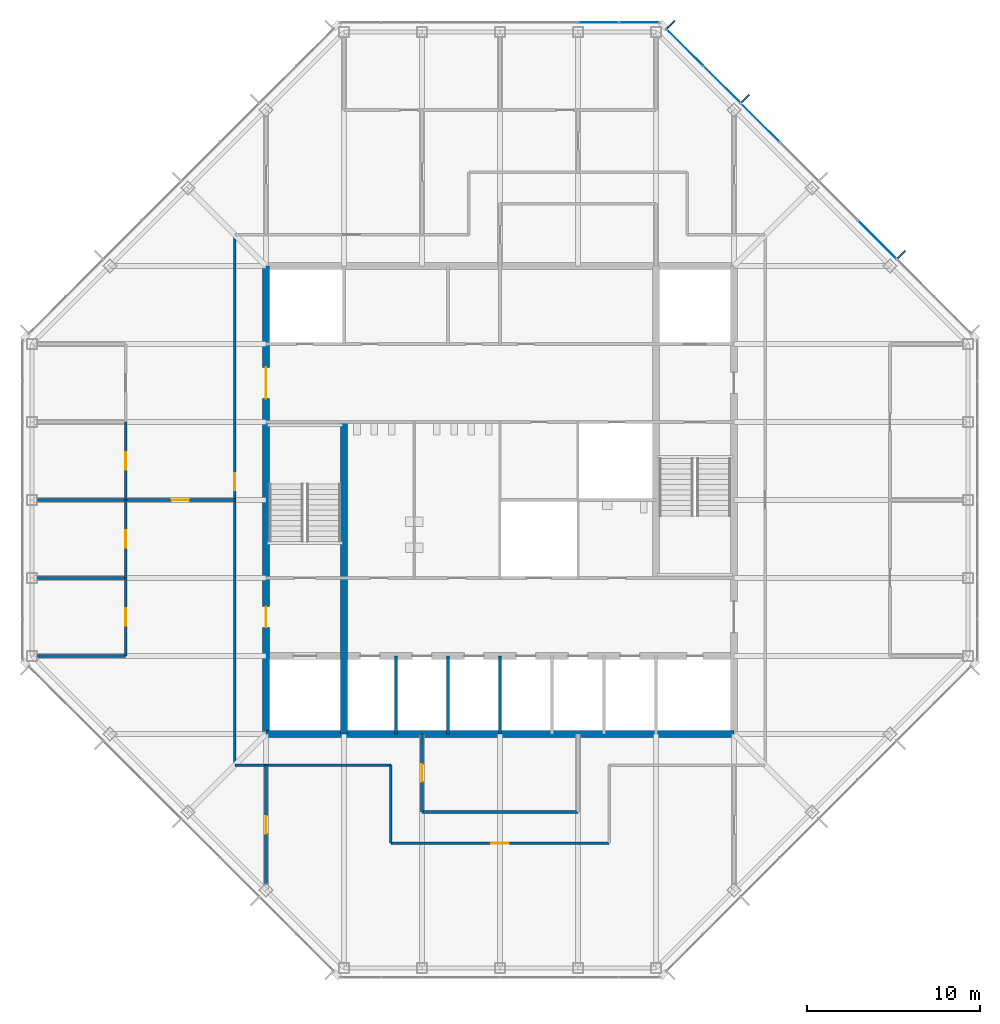
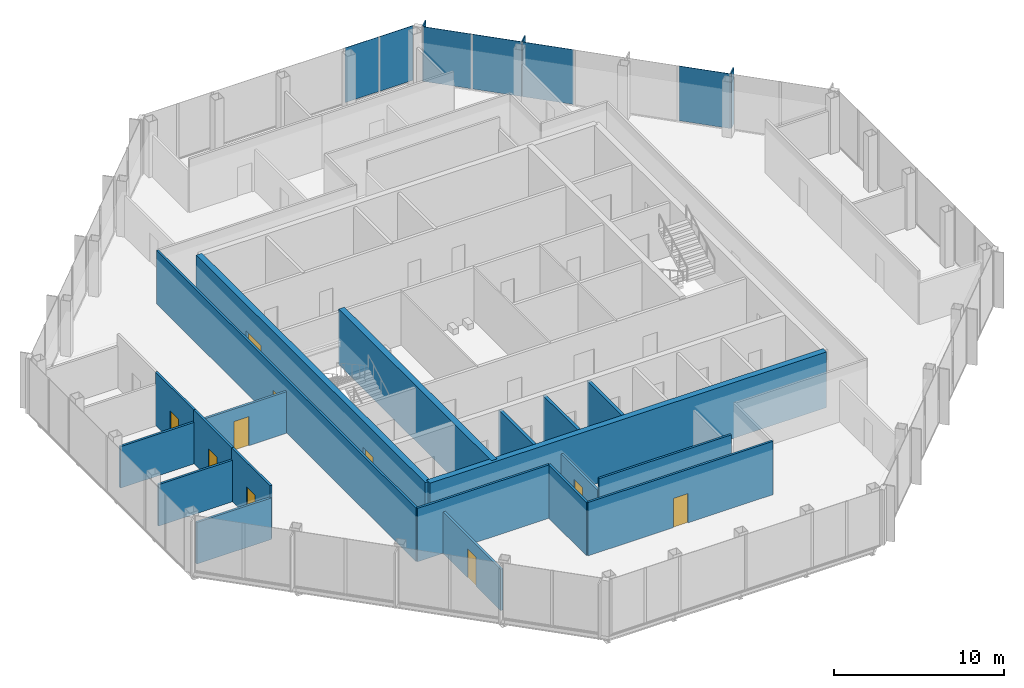
# One storey, part 9 of 14: 20 walls, 10 doors, 9 plates, 10 openings, 2 elements without a shape of their own.
"""IFC4 building model written with IfcOpenShell, lengths in metres."""

from ifc_helpers import new_model, si_unit, direction, frame, frame_2d, origin, origin_2d, place, context, subcontext, project, spatial, rectangle, extrude, material, layer, layer_set, type_object, element, fill, aggregate, save


model = new_model("IFC4")

# Units and contexts
model_context = context("Model", 3, precision=1e-05, world=origin(), true_north=direction((0.0, 1.0)))
body_context = subcontext(model_context, "Body", "Model", "MODEL_VIEW")
ifc_project = project(units=[si_unit("LENGTHUNIT", "METRE"), si_unit("AREAUNIT", "SQUARE_METRE"), si_unit("VOLUMEUNIT", "CUBIC_METRE"), si_unit("PLANEANGLEUNIT", "RADIAN"), si_unit("MASSUNIT", "GRAM", prefix="KILO")], contexts=[model_context])

# Site, building, storey
site_placement = place(None, origin())
site = spatial("IfcSite", under=ifc_project, at=site_placement, CompositionType="ELEMENT")
building_placement = place(site_placement, origin())
building = spatial("IfcBuilding", under=site, at=building_placement, Name="Corais Broadcast Tower", CompositionType="ELEMENT")
storey_placement = place(building_placement, frame((0.0, 0.0, 262.60009765625)))
storey = spatial("IfcBuildingStorey", under=building, at=storey_placement, Name="L61", CompositionType="ELEMENT", Elevation=262.60009765625)

# Curtain wall, plate
ifc_material_1 = material(Name="Aluminium and glass", Category="aluminium")
curtain_wall_type = type_object("IfcCurtainWallType", Name="Unitised fritted curtain wall CW3", PredefinedType="NOTDEFINED", material=ifc_material_1)
curtain_wall_1_placement = place(storey_placement, origin())
curtain_wall_1 = element("IfcCurtainWall", 1, at=curtain_wall_1_placement, inside=storey, type_object=curtain_wall_type, Name="CW3 curtain wall L61 4", PredefinedType="NOTDEFINED")
ifc_material_2 = material(Name="Ceramic-fritted laminated glass", Category="glass")
ifc_layer_1 = layer(ifc_material_2, 0.02587890625)
ifc_layer_set_1 = layer_set([ifc_layer_1], Name="Ceramic-fritted laminated glass")
plate_type_1 = type_object("IfcPlateType", Name="Fritted glass panel CW3", PredefinedType="CURTAIN_PANEL", material=ifc_layer_set_1)
plate_1_placement = place(storey_placement, frame((32.681884765625, 54.550048828125, 0.06494140625), z_axis=(0.0, 0.0, 1.0), x_axis=(1.0, 0.0, 0.0)))
plate_1 = element("IfcPlate", 2, at=plate_1_placement, type_object=plate_type_1, Name="CW3 panel 5", PredefinedType="CURTAIN_PANEL", context=body_context, shape_type="SweptSolid", body=[
    extrude(rectangle(XDim=2.298828125, YDim=0.02587890625, at=origin_2d()), origin(), (0.0, 0.0, 1.0), 3.93505859375),
])

# Curtain wall, plates
curtain_wall_2_placement = place(storey_placement, origin())
curtain_wall_2 = element("IfcCurtainWall", 3, at=curtain_wall_2_placement, inside=storey, type_object=curtain_wall_type, Name="CW3 curtain wall L61 5", PredefinedType="NOTDEFINED")
plate_2_placement = place(storey_placement, frame((37.669677734375, 53.108154296875, 0.06494140625), z_axis=(0.0, 0.0, 1.0), x_axis=(0.707106781187, -0.707106781187, 0.0)))
plate_2 = element("IfcPlate", 4, at=plate_2_placement, type_object=plate_type_1, Name="CW3 panel 1", PredefinedType="CURTAIN_PANEL", context=body_context, shape_type="SweptSolid", body=[
    extrude(rectangle(XDim=2.9482421875, YDim=0.02587890625, at=origin_2d()), origin(), (0.0, 0.0, 1.0), 3.93505859375),
])
plate_3_placement = place(storey_placement, frame((42.013916015625, 48.763916015625, 0.06494140625), z_axis=(0.0, 0.0, 1.0), x_axis=(0.707106781187, -0.707106781187, 0.0)))
plate_3 = element("IfcPlate", 5, at=plate_3_placement, type_object=plate_type_1, Name="CW3 panel 3", PredefinedType="CURTAIN_PANEL", context=body_context, shape_type="SweptSolid", body=[
    extrude(rectangle(XDim=3.116943359375, YDim=0.02587890625, at=origin_2d()), origin(), (0.0, 0.0, 1.0), 3.93505859375),
])

# Plate
ifc_material_3 = material(Name="Clear laminated glass", Category="glass")
ifc_layer_2 = layer(ifc_material_3, 0.030029296875)
ifc_layer_set_2 = layer_set([ifc_layer_2], Name="Clear laminated glass")
plate_type_2 = type_object("IfcPlateType", Name="Operable glass panel CW3", PredefinedType="CURTAIN_PANEL", material=ifc_layer_set_2)
plate_4_placement = place(storey_placement, frame((35.029541015625, 54.550048828125, 0.06494140625), z_axis=(0.0, 0.0, 1.0), x_axis=(1.0, 0.0, 0.0)))
plate_4 = element("IfcPlate", 6, at=plate_4_placement, type_object=plate_type_2, Name="CW3 operable panel 6", PredefinedType="CURTAIN_PANEL", context=body_context, shape_type="SweptSolid", body=[
    extrude(rectangle(XDim=2.266357421875, YDim=0.030029296875, at=origin_2d()), origin(), (0.0, 0.0, 1.0), 3.93505859375),
])

aggregate(curtain_wall_1, [plate_1, plate_4])

plate_5_placement = place(storey_placement, frame((39.81201171875, 50.9658203125, 0.06494140625), z_axis=(0.0, 0.0, 1.0), x_axis=(0.707106781187, -0.707106781187, 0.0)))
plate_5 = element("IfcPlate", 7, at=plate_5_placement, type_object=plate_type_2, Name="CW3 operable panel 2", PredefinedType="CURTAIN_PANEL", context=body_context, shape_type="SweptSolid", body=[
    extrude(rectangle(XDim=2.98095703125, YDim=0.030029296875, at=origin_2d()), origin(), (0.0, 0.0, 1.0), 3.93505859375),
])

plate_6_placement = place(storey_placement, frame((48.763916015625, 42.013916015625, 0.06494140625), z_axis=(0.0, 0.0, 1.0), x_axis=(0.707106781187, -0.707106781187, 0.0)))
plate_6 = element("IfcPlate", 8, at=plate_6_placement, type_object=plate_type_2, Name="CW3 operable panel 6", PredefinedType="CURTAIN_PANEL", context=body_context, shape_type="SweptSolid", body=[
    extrude(rectangle(XDim=3.116943359375, YDim=0.030029296875, at=origin_2d()), origin(), (0.0, 0.0, 1.0), 3.93505859375),
])

aggregate(curtain_wall_2, [plate_2, plate_5, plate_3, plate_6])

# Plates
ifc_material_4 = material(Name="Granite stone cladding", Category="masonry")
ifc_layer_3 = layer(ifc_material_4, 0.080078125)
ifc_layer_set_3 = layer_set([ifc_layer_3], Name="Granite stone cladding")
plate_type_3 = type_object("IfcPlateType", Name="Stone screen fin 80x600", PredefinedType="USERDEFINED", material=ifc_layer_set_3)
for number, where, z_axis, x_axis, name in (
    (9, (36.870849609375, 54.43994140625, 0.0), (0.0, 0.0, 1.0), (0.707106781187, -0.707106781187, 0.0), "SF1 stone screen fin L61"),
    (10, (41.155517578125, 50.155517578125, 0.0), (0.0, 0.0, 1.0), (0.707106781187, -0.707106781187, 0.0), "SF1 stone screen fin L61"),
    (11, (50.155517578125, 41.155517578125, 0.0), (0.0, 0.0, 1.0), (0.707106781187, -0.707106781187, 0.0), "SF1 stone screen fin L61"),
):
    element("IfcPlate", number, at=place(storey_placement, frame(where, z_axis=z_axis, x_axis=x_axis)), inside=storey, type_object=plate_type_3, Name=name, ObjectType="STONE SCREEN FIN", PredefinedType="USERDEFINED", context=body_context, shape_type="SweptSolid", body=[
        extrude(rectangle(XDim=0.080078125, YDim=0.60009765625, at=origin_2d()), origin(), (0.0, 0.0, 1.0), 4.0),
    ])

# Wall
ifc_material_5 = material(Name="Concrete C50/60", Category="concrete")
ifc_layer_4 = layer(ifc_material_5, 0.39990234375)
ifc_layer_set_4 = layer_set([ifc_layer_4], Name="Concrete C50/60")
wall_type_1 = type_object("IfcWallType", Name="Core wall 400", PredefinedType="SHEAR", material=ifc_layer_set_4)
wall_1_placement = place(storey_placement, frame((13.5, 13.5, 0.0), z_axis=(0.0, 0.0, 1.0), x_axis=(1.0, 0.0, 0.0)))
element("IfcWall", 12, at=wall_1_placement, inside=storey, type_object=wall_type_1, Name="CR400 core wall S L61", PredefinedType="SHEAR", context=body_context, shape_type="SweptSolid", body=[
    extrude(rectangle(XDim=27.0, YDim=0.39990234375, at=frame_2d((13.5, 0.0))), origin(), (0.0, 0.0, 1.0), 4.0),
])

# Wall, openings, doors
wall_2_placement = place(storey_placement, frame((13.5, 40.5, 0.0), z_axis=(0.0, 0.0, 1.0), x_axis=(0.0, -1.0, 0.0)))
wall_2 = element("IfcWall", 13, at=wall_2_placement, inside=storey, type_object=wall_type_1, Name="CR400 core wall W L61", PredefinedType="SHEAR", context=body_context, shape_type="SweptSolid", body=[
    extrude(rectangle(XDim=27.0, YDim=0.39990234375, at=frame_2d((13.5, 0.0))), origin(), (0.0, 0.0, 1.0), 4.0),
])
opening_1_placement = place(wall_2_placement, frame((19.64990234375, 0.0, 0.0)))
opening_1 = element("IfcOpeningElement", 14, at=opening_1_placement, cuts=wall_2, Name="Opening FD1", PredefinedType="OPENING", context=body_context, shape_type="SweptSolid", body=[
    extrude(rectangle(XDim=1.199951171875, YDim=2.10009765625, at=frame_2d((0.60009765625, 1.050048828125))), frame((0.0, 0.2099609375, 0.0), z_axis=(0.0, -1.0, 0.0), x_axis=(1.0, 0.0, 0.0)), (0.0, 0.0, 1.0), 0.419921875),
])
opening_2_placement = place(wall_2_placement, frame((5.85009765625, 0.0, 0.0)))
opening_2 = element("IfcOpeningElement", 15, at=opening_2_placement, cuts=wall_2, Name="Opening FD2", PredefinedType="OPENING", context=body_context, shape_type="SweptSolid", body=[
    extrude(rectangle(XDim=1.800048828125, YDim=2.10009765625, at=frame_2d((0.89990234375, 1.050048828125))), frame((0.0, 0.2099609375, 0.0), z_axis=(0.0, -1.0, 0.0), x_axis=(1.0, 0.0, 0.0)), (0.0, 0.0, 1.0), 0.419921875),
])
ifc_material_6 = material(Name="Steel fire door", Category="steel")
door_type_1 = type_object("IfcDoorType", Name="Fire door 1200x2100", OperationType="SINGLE_SWING_LEFT", PredefinedType="DOOR", material=ifc_material_6)
door_1_placement = place(opening_1_placement, origin())
door_1 = element("IfcDoor", 16, at=door_1_placement, inside=storey, type_object=door_type_1, Name="FD1 fire lobby A door L61", OperationType="SINGLE_SWING_RIGHT", OverallHeight=2.10009765625, OverallWidth=1.199951171875, PredefinedType="DOOR", context=body_context, shape_type="SweptSolid", body=[
    extrude(rectangle(XDim=1.199951171875, YDim=2.10009765625, at=frame_2d((0.60009765625, 1.050048828125))), frame((0.0, 0.02490234375, 0.0), z_axis=(0.0, -1.0, 0.0), x_axis=(1.0, 0.0, 0.0)), (0.0, 0.0, 1.0), 0.050048828125),
])
fill(opening_1, door_1)
ifc_material_7 = material(Name="Steel fire door", Category="steel")
door_type_2 = type_object("IfcDoorType", Name="Fire door pair 1800x2100", OperationType="DOUBLE_DOOR_SINGLE_SWING", PredefinedType="DOOR", material=ifc_material_7)
door_2_placement = place(opening_2_placement, origin())
door_2 = element("IfcDoor", 17, at=door_2_placement, inside=storey, type_object=door_type_2, Name="FD2 lift lobby door L61", OperationType="SINGLE_SWING_LEFT", OverallHeight=2.10009765625, OverallWidth=1.800048828125, PredefinedType="DOOR", context=body_context, shape_type="SweptSolid", body=[
    extrude(rectangle(XDim=1.800048828125, YDim=2.10009765625, at=frame_2d((0.89990234375, 1.050048828125))), frame((0.0, 0.02490234375, 0.0), z_axis=(0.0, -1.0, 0.0), x_axis=(1.0, 0.0, 0.0)), (0.0, 0.0, 1.0), 0.050048828125),
])
fill(opening_2, door_2)

# Wall
wall_3_placement = place(storey_placement, frame((18.0, 13.5, 0.0), z_axis=(0.0, 0.0, 1.0), x_axis=(0.0, 1.0, 0.0)))
element("IfcWall", 18, at=wall_3_placement, inside=storey, type_object=wall_type_1, Name="CR400 core wall X18A L61", PredefinedType="SHEAR", context=body_context, shape_type="SweptSolid", body=[
    extrude(rectangle(XDim=18.0, YDim=0.39990234375, at=frame_2d((9.0, 0.0))), origin(), (0.0, 0.0, 1.0), 4.0),
])

# Wall, opening, door
ifc_material_8 = material(Name="Gypsum board on steel studs", Category="steel")
ifc_layer_5 = layer(ifc_material_8, 0.14990234375)
ifc_layer_set_5 = layer_set([ifc_layer_5], Name="Gypsum board on steel studs")
wall_type_2 = type_object("IfcWallType", Name="Partition 150", PredefinedType="PARTITIONING", material=ifc_layer_set_5)
wall_4_placement = place(storey_placement, frame((11.699951171875, 42.300048828125, 0.0), z_axis=(0.0, 0.0, 1.0), x_axis=(0.0, -1.0, 0.0)))
wall_4 = element("IfcWall", 19, at=wall_4_placement, inside=storey, type_object=wall_type_2, Name="IW3 corridor wall L61", PredefinedType="PARTITIONING", context=body_context, shape_type="SweptSolid", body=[
    extrude(rectangle(XDim=30.60009765625, YDim=0.14990234375, at=frame_2d((15.300048828125, 0.0))), origin(), (0.0, 0.0, 1.0), 3.83984375),
])
opening_3_placement = place(wall_4_placement, frame((13.75, 0.0, 0.0)))
opening_3 = element("IfcOpeningElement", 20, at=opening_3_placement, cuts=wall_4, Name="Opening D1", PredefinedType="OPENING", context=body_context, shape_type="SweptSolid", body=[
    extrude(rectangle(XDim=1.0, YDim=2.10009765625, at=frame_2d((0.5, 1.050048828125))), frame((0.0, 0.0849609375, 0.0), z_axis=(0.0, -1.0, 0.0), x_axis=(1.0, 0.0, 0.0)), (0.0, 0.0, 1.0), 0.169921875),
])
ifc_material_9 = material(Name="Timber door", Category="wood")
door_type_3 = type_object("IfcDoorType", Name="Single door 1000x2100", OperationType="SINGLE_SWING_LEFT", PredefinedType="DOOR", material=ifc_material_9)
door_3_placement = place(opening_3_placement, origin())
door_3 = element("IfcDoor", 21, at=door_3_placement, inside=storey, type_object=door_type_3, Name="D1 workplace door L61", OperationType="SINGLE_SWING_LEFT", OverallHeight=2.10009765625, OverallWidth=1.0, PredefinedType="DOOR", context=body_context, shape_type="SweptSolid", body=[
    extrude(rectangle(XDim=1.0, YDim=2.10009765625, at=frame_2d((0.5, 1.050048828125))), frame((0.0, 0.02490234375, 0.0), z_axis=(0.0, -1.0, 0.0), x_axis=(1.0, 0.0, 0.0)), (0.0, 0.0, 1.0), 0.050048828125),
])
fill(opening_3, door_3)

wall_5_placement = place(storey_placement, frame((20.699951171875, 7.199951171875, 0.0), z_axis=(0.0, 0.0, 1.0), x_axis=(1.0, 0.0, 0.0)))
wall_5 = element("IfcWall", 22, at=wall_5_placement, inside=storey, type_object=wall_type_2, Name="IW3 corridor wall L61", PredefinedType="PARTITIONING", context=body_context, shape_type="SweptSolid", body=[
    extrude(rectangle(XDim=12.60009765625, YDim=0.14990234375, at=frame_2d((6.300048828125, 0.0))), origin(), (0.0, 0.0, 1.0), 3.83984375),
])
opening_4_placement = place(wall_5_placement, frame((5.800048828125, 0.0, 0.0)))
opening_4 = element("IfcOpeningElement", 23, at=opening_4_placement, cuts=wall_5, Name="Opening D1", PredefinedType="OPENING", context=body_context, shape_type="SweptSolid", body=[
    extrude(rectangle(XDim=1.0, YDim=2.10009765625, at=frame_2d((0.5, 1.050048828125))), frame((0.0, 0.0849609375, 0.0), z_axis=(0.0, -1.0, 0.0), x_axis=(1.0, 0.0, 0.0)), (0.0, 0.0, 1.0), 0.169921875),
])
door_4_placement = place(opening_4_placement, origin())
door_4 = element("IfcDoor", 24, at=door_4_placement, inside=storey, type_object=door_type_3, Name="D1 workplace door L61", OperationType="SINGLE_SWING_LEFT", OverallHeight=2.10009765625, OverallWidth=1.0, PredefinedType="DOOR", context=body_context, shape_type="SweptSolid", body=[
    extrude(rectangle(XDim=1.0, YDim=2.10009765625, at=frame_2d((0.5, 1.050048828125))), frame((0.0, 0.02490234375, 0.0), z_axis=(0.0, -1.0, 0.0), x_axis=(1.0, 0.0, 0.0)), (0.0, 0.0, 1.0), 0.050048828125),
])
fill(opening_4, door_4)

# Walls
wall_6_placement = place(storey_placement, frame((11.699951171875, 11.699951171875, 0.0), z_axis=(0.0, 0.0, 1.0), x_axis=(1.0, 0.0, 0.0)))
element("IfcWall", 25, at=wall_6_placement, inside=storey, type_object=wall_type_2, Name="IW3 corridor wall L61", PredefinedType="PARTITIONING", context=body_context, shape_type="SweptSolid", body=[
    extrude(rectangle(XDim=9.0, YDim=0.14990234375, at=frame_2d((4.5, 0.0))), origin(), (0.0, 0.0, 1.0), 3.83984375),
])
wall_7_placement = place(storey_placement, frame((20.699951171875, 11.699951171875, 0.0), z_axis=(0.0, 0.0, 1.0), x_axis=(0.0, -1.0, 0.0)))
element("IfcWall", 26, at=wall_7_placement, inside=storey, type_object=wall_type_2, Name="IW3 corridor wall L61", PredefinedType="PARTITIONING", context=body_context, shape_type="SweptSolid", body=[
    extrude(rectangle(XDim=4.5, YDim=0.14990234375, at=frame_2d((2.25, 0.0))), origin(), (0.0, 0.0, 1.0), 3.83984375),
])
wall_8_placement = place(storey_placement, frame((0.31005859375, 18.0, 0.0), z_axis=(0.0, 0.0, 1.0), x_axis=(1.0, 0.0, 0.0)))
element("IfcWall", 27, at=wall_8_placement, inside=storey, type_object=wall_type_2, Name="IW3 partition L61", PredefinedType="PARTITIONING", context=body_context, shape_type="SweptSolid", body=[
    extrude(rectangle(XDim=5.08984375, YDim=0.14990234375, at=frame_2d((2.544921875, 0.0))), origin(), (0.0, 0.0, 1.0), 2.989013671875),
])

# Wall, opening, door
wall_9_placement = place(storey_placement, frame((5.39990234375, 18.0, 0.0), z_axis=(0.0, 0.0, 1.0), x_axis=(0.0, 1.0, 0.0)))
wall_9 = element("IfcWall", 28, at=wall_9_placement, inside=storey, type_object=wall_type_2, Name="IW3 partition L61", PredefinedType="PARTITIONING", context=body_context, shape_type="SweptSolid", body=[
    extrude(rectangle(XDim=4.5, YDim=0.14990234375, at=frame_2d((2.25, 0.0))), origin(), (0.0, 0.0, 1.0), 3.83984375),
])
opening_5_placement = place(wall_9_placement, frame((1.75, 0.0, 0.0)))
opening_5 = element("IfcOpeningElement", 29, at=opening_5_placement, cuts=wall_9, Name="Opening D1", PredefinedType="OPENING", context=body_context, shape_type="SweptSolid", body=[
    extrude(rectangle(XDim=1.0, YDim=2.10009765625, at=frame_2d((0.5, 1.050048828125))), frame((0.0, 0.0849609375, 0.0), z_axis=(0.0, -1.0, 0.0), x_axis=(1.0, 0.0, 0.0)), (0.0, 0.0, 1.0), 0.169921875),
])
door_5_placement = place(opening_5_placement, origin())
door_5 = element("IfcDoor", 30, at=door_5_placement, inside=storey, type_object=door_type_3, Name="D1 Office door", OperationType="SINGLE_SWING_LEFT", OverallHeight=2.10009765625, OverallWidth=1.0, PredefinedType="DOOR", context=body_context, shape_type="SweptSolid", body=[
    extrude(rectangle(XDim=1.0, YDim=2.10009765625, at=frame_2d((0.5, 1.050048828125))), frame((0.0, 0.02490234375, 0.0), z_axis=(0.0, -1.0, 0.0), x_axis=(1.0, 0.0, 0.0)), (0.0, 0.0, 1.0), 0.050048828125),
])
fill(opening_5, door_5)

# Wall
wall_10_placement = place(storey_placement, frame((5.39990234375, 22.5, 0.0), z_axis=(0.0, 0.0, 1.0), x_axis=(-1.0, 0.0, 0.0)))
element("IfcWall", 31, at=wall_10_placement, inside=storey, type_object=wall_type_2, Name="IW3 partition L61", PredefinedType="PARTITIONING", context=body_context, shape_type="SweptSolid", body=[
    extrude(rectangle(XDim=5.08984375, YDim=0.14990234375, at=frame_2d((2.544921875, 0.0))), origin(), (0.0, 0.0, 1.0), 2.989013671875),
])

# Wall, opening, door
wall_11_placement = place(storey_placement, frame((5.39990234375, 22.5, 0.0), z_axis=(0.0, 0.0, 1.0), x_axis=(0.0, 1.0, 0.0)))
wall_11 = element("IfcWall", 32, at=wall_11_placement, inside=storey, type_object=wall_type_2, Name="IW3 partition L61", PredefinedType="PARTITIONING", context=body_context, shape_type="SweptSolid", body=[
    extrude(rectangle(XDim=4.5, YDim=0.14990234375, at=frame_2d((2.25, 0.0))), origin(), (0.0, 0.0, 1.0), 3.83984375),
])
opening_6_placement = place(wall_11_placement, frame((1.75, 0.0, 0.0)))
opening_6 = element("IfcOpeningElement", 33, at=opening_6_placement, cuts=wall_11, Name="Opening D1", PredefinedType="OPENING", context=body_context, shape_type="SweptSolid", body=[
    extrude(rectangle(XDim=1.0, YDim=2.10009765625, at=frame_2d((0.5, 1.050048828125))), frame((0.0, 0.0849609375, 0.0), z_axis=(0.0, -1.0, 0.0), x_axis=(1.0, 0.0, 0.0)), (0.0, 0.0, 1.0), 0.169921875),
])
door_6_placement = place(opening_6_placement, origin())
door_6 = element("IfcDoor", 34, at=door_6_placement, inside=storey, type_object=door_type_3, Name="D1 Office door", OperationType="SINGLE_SWING_LEFT", OverallHeight=2.10009765625, OverallWidth=1.0, PredefinedType="DOOR", context=body_context, shape_type="SweptSolid", body=[
    extrude(rectangle(XDim=1.0, YDim=2.10009765625, at=frame_2d((0.5, 1.050048828125))), frame((0.0, 0.02490234375, 0.0), z_axis=(0.0, -1.0, 0.0), x_axis=(1.0, 0.0, 0.0)), (0.0, 0.0, 1.0), 0.050048828125),
])
fill(opening_6, door_6)

# Wall
wall_12_placement = place(storey_placement, frame((5.39990234375, 27.0, 0.0), z_axis=(0.0, 0.0, 1.0), x_axis=(-1.0, 0.0, 0.0)))
element("IfcWall", 35, at=wall_12_placement, inside=storey, type_object=wall_type_2, Name="IW3 partition L61", PredefinedType="PARTITIONING", context=body_context, shape_type="SweptSolid", body=[
    extrude(rectangle(XDim=5.08984375, YDim=0.14990234375, at=frame_2d((2.544921875, 0.0))), origin(), (0.0, 0.0, 1.0), 2.989013671875),
])

# Wall, opening, door
wall_13_placement = place(storey_placement, frame((5.39990234375, 27.0, 0.0), z_axis=(0.0, 0.0, 1.0), x_axis=(0.0, 1.0, 0.0)))
wall_13 = element("IfcWall", 36, at=wall_13_placement, inside=storey, type_object=wall_type_2, Name="IW3 partition L61", PredefinedType="PARTITIONING", context=body_context, shape_type="SweptSolid", body=[
    extrude(rectangle(XDim=4.5, YDim=0.14990234375, at=frame_2d((2.25, 0.0))), origin(), (0.0, 0.0, 1.0), 3.83984375),
])
opening_7_placement = place(wall_13_placement, frame((1.75, 0.0, 0.0)))
opening_7 = element("IfcOpeningElement", 37, at=opening_7_placement, cuts=wall_13, Name="Opening D1", PredefinedType="OPENING", context=body_context, shape_type="SweptSolid", body=[
    extrude(rectangle(XDim=1.0, YDim=2.10009765625, at=frame_2d((0.5, 1.050048828125))), frame((0.0, 0.0849609375, 0.0), z_axis=(0.0, -1.0, 0.0), x_axis=(1.0, 0.0, 0.0)), (0.0, 0.0, 1.0), 0.169921875),
])
door_7_placement = place(opening_7_placement, origin())
door_7 = element("IfcDoor", 38, at=door_7_placement, inside=storey, type_object=door_type_3, Name="D1 Office door", OperationType="SINGLE_SWING_LEFT", OverallHeight=2.10009765625, OverallWidth=1.0, PredefinedType="DOOR", context=body_context, shape_type="SweptSolid", body=[
    extrude(rectangle(XDim=1.0, YDim=2.10009765625, at=frame_2d((0.5, 1.050048828125))), frame((0.0, 0.02490234375, 0.0), z_axis=(0.0, -1.0, 0.0), x_axis=(1.0, 0.0, 0.0)), (0.0, 0.0, 1.0), 0.050048828125),
])
fill(opening_7, door_7)

# Wall
wall_14_placement = place(storey_placement, frame((22.5, 9.0, 0.0), z_axis=(0.0, 0.0, 1.0), x_axis=(1.0, 0.0, 0.0)))
element("IfcWall", 39, at=wall_14_placement, inside=storey, type_object=wall_type_2, Name="IW3 partition L61", PredefinedType="PARTITIONING", context=body_context, shape_type="SweptSolid", body=[
    extrude(rectangle(XDim=9.0, YDim=0.14990234375, at=frame_2d((4.5, 0.0))), origin(), (0.0, 0.0, 1.0), 3.83984375),
])

# Wall, opening, door
wall_15_placement = place(storey_placement, frame((22.5, 13.5, 0.0), z_axis=(0.0, 0.0, 1.0), x_axis=(0.0, -1.0, 0.0)))
wall_15 = element("IfcWall", 40, at=wall_15_placement, inside=storey, type_object=wall_type_2, Name="IW3 partition L61", PredefinedType="PARTITIONING", context=body_context, shape_type="SweptSolid", body=[
    extrude(rectangle(XDim=4.5, YDim=0.14990234375, at=frame_2d((2.25, 0.0))), origin(), (0.0, 0.0, 1.0), 2.989013671875),
])
opening_8_placement = place(wall_15_placement, frame((1.75, 0.0, 0.0)))
opening_8 = element("IfcOpeningElement", 41, at=opening_8_placement, cuts=wall_15, Name="Opening D1", PredefinedType="OPENING", context=body_context, shape_type="SweptSolid", body=[
    extrude(rectangle(XDim=1.0, YDim=2.10009765625, at=frame_2d((0.5, 1.050048828125))), frame((0.0, 0.0849609375, 0.0), z_axis=(0.0, -1.0, 0.0), x_axis=(1.0, 0.0, 0.0)), (0.0, 0.0, 1.0), 0.169921875),
])
door_8_placement = place(opening_8_placement, origin())
door_8 = element("IfcDoor", 42, at=door_8_placement, inside=storey, type_object=door_type_3, Name="D1 Reception door", OperationType="SINGLE_SWING_LEFT", OverallHeight=2.10009765625, OverallWidth=1.0, PredefinedType="DOOR", context=body_context, shape_type="SweptSolid", body=[
    extrude(rectangle(XDim=1.0, YDim=2.10009765625, at=frame_2d((0.5, 1.050048828125))), frame((0.0, 0.02490234375, 0.0), z_axis=(0.0, -1.0, 0.0), x_axis=(1.0, 0.0, 0.0)), (0.0, 0.0, 1.0), 0.050048828125),
])
fill(opening_8, door_8)

wall_16_placement = place(storey_placement, frame((13.5, 4.820068359375, 0.0), z_axis=(0.0, 0.0, 1.0), x_axis=(0.0, 1.0, 0.0)))
wall_16 = element("IfcWall", 43, at=wall_16_placement, inside=storey, type_object=wall_type_2, Name="IW3 partition L61", PredefinedType="PARTITIONING", context=body_context, shape_type="SweptSolid", body=[
    extrude(rectangle(XDim=6.8798828125, YDim=0.14990234375, at=frame_2d((3.43994140625, 0.0))), origin(), (0.0, 0.0, 1.0), 2.989013671875),
])
opening_9_placement = place(wall_16_placement, frame((2.93994140625, 0.0, 0.0)))
opening_9 = element("IfcOpeningElement", 44, at=opening_9_placement, cuts=wall_16, Name="Opening D1", PredefinedType="OPENING", context=body_context, shape_type="SweptSolid", body=[
    extrude(rectangle(XDim=1.0, YDim=2.10009765625, at=frame_2d((0.5, 1.050048828125))), frame((0.0, 0.0849609375, 0.0), z_axis=(0.0, -1.0, 0.0), x_axis=(1.0, 0.0, 0.0)), (0.0, 0.0, 1.0), 0.169921875),
])
door_9_placement = place(opening_9_placement, origin())
door_9 = element("IfcDoor", 45, at=door_9_placement, inside=storey, type_object=door_type_3, Name="D1 team room door L61", OperationType="SINGLE_SWING_LEFT", OverallHeight=2.10009765625, OverallWidth=1.0, PredefinedType="DOOR", context=body_context, shape_type="SweptSolid", body=[
    extrude(rectangle(XDim=1.0, YDim=2.10009765625, at=frame_2d((0.5, 1.050048828125))), frame((0.0, 0.02490234375, 0.0), z_axis=(0.0, -1.0, 0.0), x_axis=(1.0, 0.0, 0.0)), (0.0, 0.0, 1.0), 0.050048828125),
])
fill(opening_9, door_9)

wall_17_placement = place(storey_placement, frame((5.39990234375, 27.0, 0.0), z_axis=(0.0, 0.0, 1.0), x_axis=(1.0, 0.0, 0.0)))
wall_17 = element("IfcWall", 46, at=wall_17_placement, inside=storey, type_object=wall_type_2, Name="IW3 partition L61", PredefinedType="PARTITIONING", context=body_context, shape_type="SweptSolid", body=[
    extrude(rectangle(XDim=6.300048828125, YDim=0.14990234375, at=frame_2d((3.14990234375, 0.0))), origin(), (0.0, 0.0, 1.0), 2.989013671875),
])
opening_10_placement = place(wall_17_placement, frame((2.64990234375, 0.0, 0.0)))
opening_10 = element("IfcOpeningElement", 47, at=opening_10_placement, cuts=wall_17, Name="Opening D1", PredefinedType="OPENING", context=body_context, shape_type="SweptSolid", body=[
    extrude(rectangle(XDim=1.0, YDim=2.10009765625, at=frame_2d((0.5, 1.050048828125))), frame((0.0, 0.0849609375, 0.0), z_axis=(0.0, -1.0, 0.0), x_axis=(1.0, 0.0, 0.0)), (0.0, 0.0, 1.0), 0.169921875),
])
door_10_placement = place(opening_10_placement, origin())
door_10 = element("IfcDoor", 48, at=door_10_placement, inside=storey, type_object=door_type_3, Name="D1 team room door L61", OperationType="SINGLE_SWING_LEFT", OverallHeight=2.10009765625, OverallWidth=1.0, PredefinedType="DOOR", context=body_context, shape_type="SweptSolid", body=[
    extrude(rectangle(XDim=1.0, YDim=2.10009765625, at=frame_2d((0.5, 1.050048828125))), frame((0.0, 0.02490234375, 0.0), z_axis=(0.0, -1.0, 0.0), x_axis=(1.0, 0.0, 0.0)), (0.0, 0.0, 1.0), 0.050048828125),
])
fill(opening_10, door_10)

# Walls
ifc_material_10 = material(Name="Concrete blockwork class A, grouted, two-hour", Category="masonry")
ifc_layer_6 = layer(ifc_material_10, 0.199951171875)
ifc_layer_set_6 = layer_set([ifc_layer_6], Name="Concrete blockwork class A, grouted, two-hour")
wall_type_3 = type_object("IfcWallType", Name="Shaft wall 200", PredefinedType="PARTITIONING", material=ifc_layer_set_6)
for number, where, z_axis, x_axis, name in (
    (49, (21.0, 13.5, 0.0), (0.0, 0.0, 1.0), (0.0, 1.0, 0.0), "IW1 shaft wall L61"),
    (50, (24.0, 13.5, 0.0), (0.0, 0.0, 1.0), (0.0, 1.0, 0.0), "IW1 shaft wall L61"),
    (51, (27.0, 13.5, 0.0), (0.0, 0.0, 1.0), (0.0, 1.0, 0.0), "IW1 shaft wall L61"),
):
    element("IfcWall", number, at=place(storey_placement, frame(where, z_axis=z_axis, x_axis=x_axis)), inside=storey, type_object=wall_type_3, Name=name, PredefinedType="PARTITIONING", context=body_context, shape_type="SweptSolid", body=[
        extrude(rectangle(XDim=4.5, YDim=0.199951171875, at=frame_2d((2.25, 0.0))), origin(), (0.0, 0.0, 1.0), 3.83984375),
    ])

save(model, "model.ifc")
